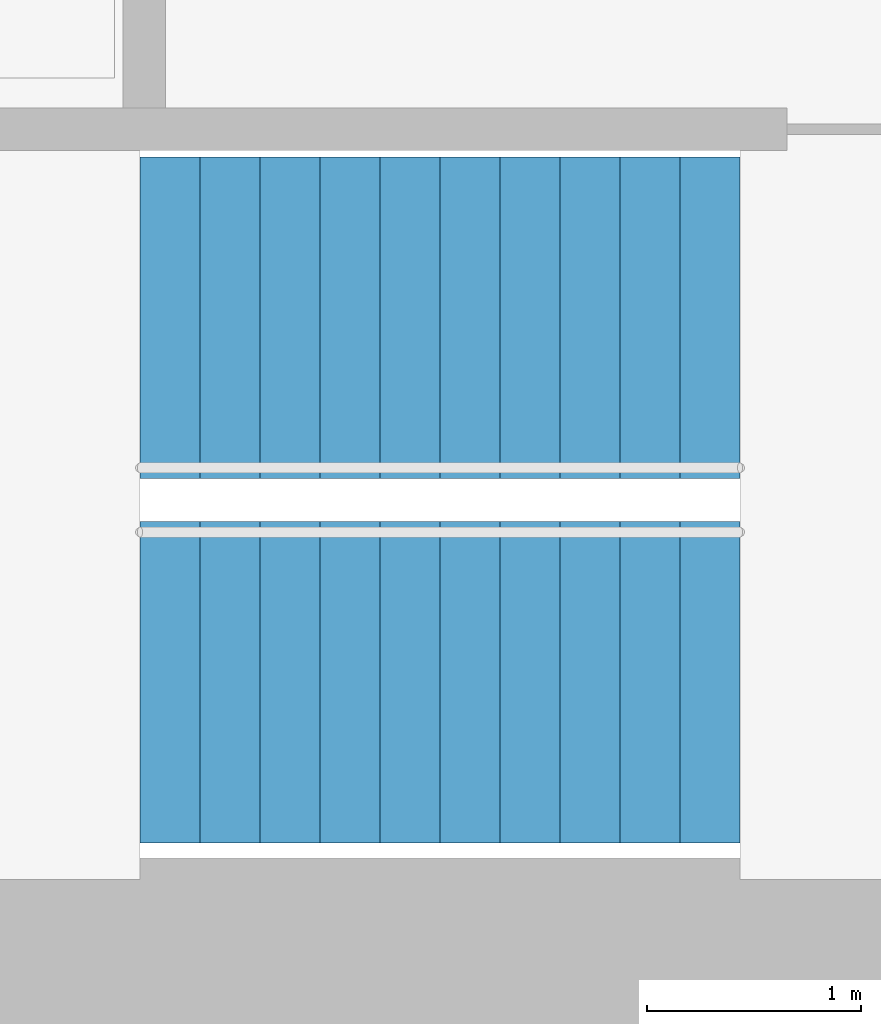
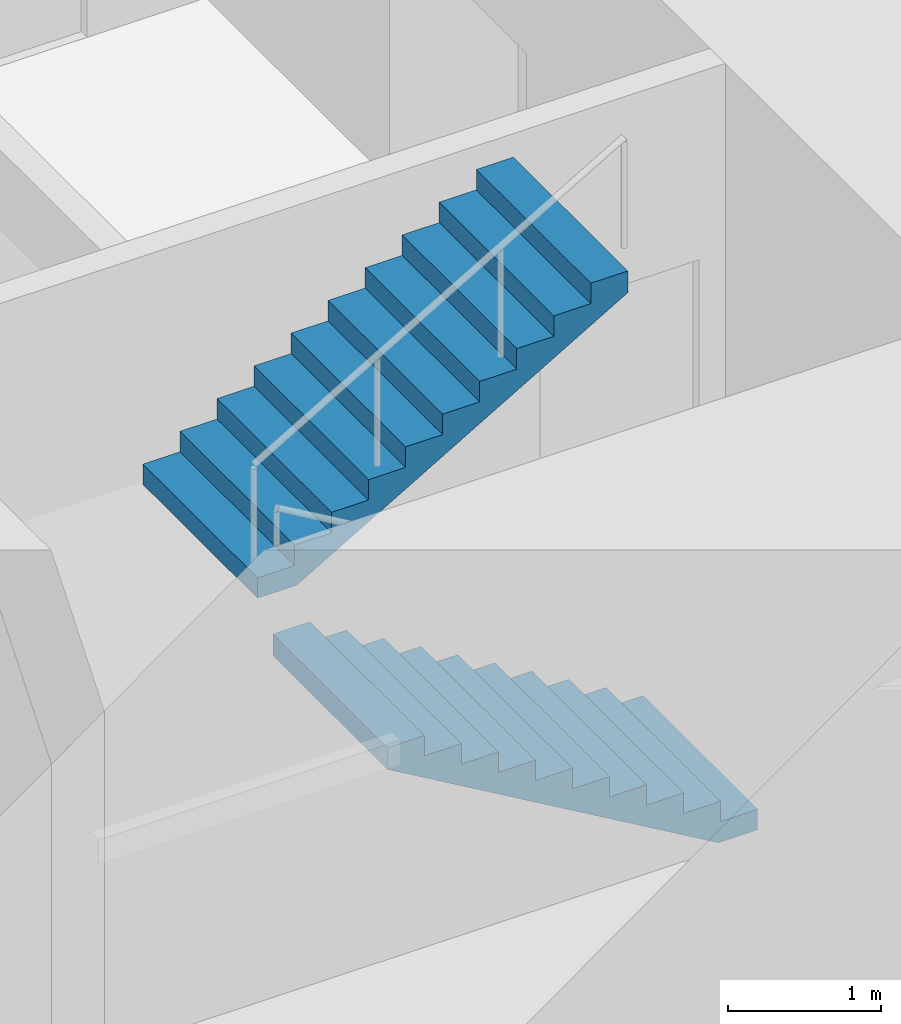
# One storey, part 14 of 15: 2 stair flights, 1 element without a shape of its own.
"""IFC4 building model written with IfcOpenShell, lengths in metres."""

import ifcopenshell
import ifcopenshell.guid

model = None  # the IFC model being written
_history = None  # IfcOwnerHistory: only IFC2X3 demands one
_inside = {}  # id of a spatial element -> (the spatial element, [elements in it])
_under = {}  # id of a project, library or spatial element -> (it, [spatial elements below it])
_declared = {}  # id of a project -> (the project, [libraries it declares])
_typed = {}  # id of a type object -> (the type object, [elements of that type])
_made_of = {}  # id of a material, layer set ... -> (it, [elements and type objects made of it])


def new_model(schema):
    """Start an empty IFC model of exactly this schema.

    Asked for "IFC4X3", IfcOpenShell would pick the latest addendum, in which some entities
    have other attributes; the version numbers below select the first issue.
    IFC2X3 requires an IfcOwnerHistory on every rooted entity: one is made here for all.
    """
    global model, _history
    if schema == "IFC4X3":
        model = ifcopenshell.file(schema_version=(4, 3, 0, 0))
    else:
        model = ifcopenshell.file(schema=schema)
    _inside.clear()
    _under.clear()
    _declared.clear()
    _typed.clear()
    _made_of.clear()
    _history = None
    if model.schema == "IFC2X3":
        org = make("IfcOrganization", Name="unknown")
        user = make(
            "IfcPersonAndOrganization",
            ThePerson=make("IfcPerson", FamilyName="unknown"),
            TheOrganization=org,
        )
        app = make(
            "IfcApplication",
            ApplicationDeveloper=org,
            Version="unknown",
            ApplicationFullName="unknown",
            ApplicationIdentifier="unknown",
        )
        _history = make(
            "IfcOwnerHistory",
            OwningUser=user,
            OwningApplication=app,
            ChangeAction="ADDED",
            CreationDate=0,
        )
    return model


def make(cls, **values):
    """One entity of the class cls with the attributes given. An attribute that is None is left unset."""
    return model.create_entity(
        cls, **{name: value for name, value in values.items() if value is not None}
    )


def rooted(cls, **values):
    """An entity with a GlobalId (a new one), such as an element, a storey or a relation."""
    return make(cls, GlobalId=ifcopenshell.guid.new(), OwnerHistory=_history, **values)


def si_unit(unit_type, name, prefix=None):
    """IfcSIUnit, for example si_unit("LENGTHUNIT", "METRE", prefix="MILLI")."""
    return make("IfcSIUnit", UnitType=unit_type, Prefix=prefix, Name=name)


def assignment(units):
    """IfcUnitAssignment: the units of a project."""
    return None if units is None else make("IfcUnitAssignment", Units=units)


def point(xyz):
    """IfcCartesianPoint."""
    return None if xyz is None else make("IfcCartesianPoint", Coordinates=xyz)


def direction(xyz):
    """IfcDirection."""
    return None if xyz is None else make("IfcDirection", DirectionRatios=xyz)


def frame(location, z_axis=None, x_axis=None):
    """IfcAxis2Placement3D, a coordinate frame: its origin and axes. An axis left out is left unset."""
    return make(
        "IfcAxis2Placement3D",
        Location=point(location),
        Axis=direction(z_axis),
        RefDirection=direction(x_axis),
    )


def origin():
    """The frame at (0, 0, 0) with its axes left unset."""
    return frame((0.0, 0.0, 0.0))


def place(relative_to, where):
    """IfcLocalPlacement: puts the frame where relative to a parent placement (None: the world)."""
    return make(
        "IfcLocalPlacement", PlacementRelTo=relative_to, RelativePlacement=where
    )


def context(
    kind, dimensions, precision=None, world=None, true_north=None, identifier=None
):
    """IfcGeometricRepresentationContext, for example the 3D "Model" context."""
    return make(
        "IfcGeometricRepresentationContext",
        ContextIdentifier=identifier,
        ContextType=kind,
        CoordinateSpaceDimension=dimensions,
        Precision=precision,
        WorldCoordinateSystem=world,
        TrueNorth=true_north,
    )


def subcontext(parent, identifier, kind, view, scale=None):
    """IfcGeometricRepresentationSubContext, for example "Body" below "Model"."""
    return make(
        "IfcGeometricRepresentationSubContext",
        ContextIdentifier=identifier,
        ContextType=kind,
        ParentContext=parent,
        TargetScale=scale,
        TargetView=view,
    )


def project(units=None, contexts=None):
    """IfcProject with its units and contexts."""
    return rooted(
        "IfcProject",
        Name="project",
        RepresentationContexts=contexts,
        UnitsInContext=assignment(units),
    )


def spatial(cls, under=None, at=None, **own):
    """A site, building, storey or space (cls), placed at a placement, below another one or the project."""
    s = rooted(cls, ObjectPlacement=at, **own)
    if under is not None:
        _under.setdefault(under.id(), (under, []))[1].append(s)
    return s


def point_list(points):
    """IfcCartesianPointList2D or 3D."""
    cls = (
        "IfcCartesianPointList2D" if len(points[0]) == 2 else "IfcCartesianPointList3D"
    )
    return make(cls, CoordList=points)


def triangles(points, corners, closed=None, point_numbers=None):
    """IfcTriangulatedFaceSet: each triangle names its three corners, points numbered from 1."""
    return make(
        "IfcTriangulatedFaceSet",
        Coordinates=point_list(points),
        Closed=closed,
        CoordIndex=corners,
        PnIndex=point_numbers,
    )


def shape(context_of_items, identifier, shape_type, items):
    """IfcShapeRepresentation: the items that make up one representation, for example the "Body"."""
    return make(
        "IfcShapeRepresentation",
        ContextOfItems=context_of_items,
        RepresentationIdentifier=identifier,
        RepresentationType=shape_type,
        Items=items,
    )


def material(Name=None, Category=None):
    """IfcMaterial."""
    return make("IfcMaterial", Name=Name, Category=Category)


def made_of(thing, what):
    """Note that an element or type object is made of a material, layer set ...; save() writes the relation."""
    if what is not None:
        _made_of.setdefault(what.id(), (what, []))[1].append(thing)
    return thing


def type_object(cls, material=None, **own):
    """A type object (cls), such as IfcWallType, which elements share."""
    return made_of(rooted(cls, **own), material)


def element(
    cls,
    number,
    at=None,
    inside=None,
    cuts=None,
    type_object=None,
    material=None,
    context=None,
    identifier="Body",
    shape_type=None,
    held_by="IfcProductDefinitionShape",
    body=None,
    shapes=None,
    **own,
):
    """One element of the class cls, such as IfcWall. Its Tag is "e" and its number.

    at: its placement. inside: the storey or other place that contains it. cuts: it is an
    opening in that element (IfcRelVoidsElement). A single representation is given by context,
    identifier, shape_type and body (its items); several are given by shapes. held_by: the class
    of the entity that holds the representations. save() writes the other relations.
    """
    e = rooted(cls, Tag="e%d" % number, ObjectPlacement=at, **own)
    if body is not None:
        shapes = [shape(context, identifier, shape_type, body)]
    if shapes is not None:
        e.Representation = make(held_by, Representations=shapes)
    if inside is not None:
        _inside.setdefault(inside.id(), (inside, []))[1].append(e)
    if cuts is not None:
        rooted(
            "IfcRelVoidsElement", RelatingBuildingElement=cuts, RelatedOpeningElement=e
        )
    if type_object is not None:
        _typed.setdefault(type_object.id(), (type_object, []))[1].append(e)
    return made_of(e, material)


def aggregate(whole, parts):
    """IfcRelAggregates: a whole, such as a stair, and the parts it consists of."""
    return rooted("IfcRelAggregates", RelatingObject=whole, RelatedObjects=parts)


def save(model, path):
    """Write the relations noted so far, then the file.

    IfcRelAggregates (storeys below a building ...), IfcRelContainedInSpatialStructure (elements
    in a storey), IfcRelDefinesByType, IfcRelAssociatesMaterial and IfcRelDeclares: one each for
    every whole, place, type object, material and project.
    """
    for whole, parts in _under.values():
        aggregate(whole, parts)
    for where, things in _inside.values():
        rooted(
            "IfcRelContainedInSpatialStructure",
            RelatedElements=things,
            RelatingStructure=where,
        )
    for kind, things in _typed.values():
        rooted("IfcRelDefinesByType", RelatedObjects=things, RelatingType=kind)
    for what, things in _made_of.values():
        rooted("IfcRelAssociatesMaterial", RelatedObjects=things, RelatingMaterial=what)
    for by, libraries in _declared.values():
        rooted("IfcRelDeclares", RelatingContext=by, RelatedDefinitions=libraries)
    model.write(path)


model = new_model("IFC4")

# Units and contexts
model_context = context("Model", 3, precision=1e-05, world=origin(), true_north=direction((0.0, 1.0)))
body_context = subcontext(model_context, "Body", "Model", "MODEL_VIEW")
ifc_project = project(units=[si_unit("LENGTHUNIT", "METRE"), si_unit("AREAUNIT", "SQUARE_METRE"), si_unit("VOLUMEUNIT", "CUBIC_METRE"), si_unit("PLANEANGLEUNIT", "RADIAN"), si_unit("MASSUNIT", "GRAM", prefix="KILO")], contexts=[model_context])

# Site, building, storey
site_placement = place(None, origin())
site = spatial("IfcSite", under=ifc_project, at=site_placement, CompositionType="ELEMENT")
building_placement = place(site_placement, origin())
building = spatial("IfcBuilding", under=site, at=building_placement, Name="Lantaw Convention Tower", CompositionType="ELEMENT")
storey_placement = place(building_placement, frame((0.0, 0.0, 98.199951171875)))
storey = spatial("IfcBuildingStorey", under=building, at=storey_placement, Name="L23", CompositionType="ELEMENT", Elevation=98.199951171875)

# Stair, stair flights
ifc_material = material(Name="Concrete C35/45", Category="concrete")
stair_type = type_object("IfcStairType", Name="Exit stair 1500 riser 163.64 in 2 flights", PredefinedType="HALF_TURN_STAIR", material=ifc_material)
stair_placement = place(storey_placement, origin())
stair = element("IfcStair", 1, at=stair_placement, inside=storey, type_object=stair_type, Name="Exit stair S2 L23", PredefinedType="HALF_TURN_STAIR")
stair_flight_type = type_object("IfcStairFlightType", Name="Stair flight 1500 riser 163.64", PredefinedType="STRAIGHT", material=ifc_material)
stair_flight_1_placement = place(storey_placement, frame((10.580078125, -5.97998046875, 0.0), z_axis=(0.0, 0.0, 1.0), x_axis=(-1.0, 0.0, 0.0)))
stair_flight_1 = element("IfcStairFlight", 2, at=stair_flight_1_placement, type_object=stair_flight_type, Name="S2 flight 1", NumberOfRisers=11, NumberOfTreads=10, PredefinedType="STRAIGHT", RiserHeight=0.163636364, TreadLength=0.28, context=body_context, shape_type="Tessellation", body=[
    triangles([(0.0, 0.75, 0.0), (0.0, 0.75, 0.163636364), (0.28, 0.75, 0.0), (0.28, 0.75, 0.163636364), (0.28, 0.75, 0.327272728), (0.2970904571225277, 0.75, 0.0), (0.2970904571225277, 0.75, 0.327272728), (0.56, 0.75, 0.1536484344906131), (0.56, 0.75, 0.327272728), (0.56, 0.75, 0.490909092), (0.8400000000000001, 0.75, 0.3172847984906131), (0.8400000000000001, 0.75, 0.490909092), (0.8400000000000001, 0.75, 0.654545456), (1.12, 0.75, 0.4809211624906131), (1.12, 0.75, 0.654545456), (1.12, 0.75, 0.8181818200000001), (1.4000000000000001, 0.75, 0.6445575264906132), (1.4000000000000001, 0.75, 0.8181818200000001), (1.4000000000000001, 0.75, 0.981818184), (1.6800000000000002, 0.75, 0.8081938904906131), (1.6800000000000002, 0.75, 0.981818184), (1.6800000000000002, 0.75, 1.145454548), (1.9600000000000002, 0.75, 0.9718302544906131), (1.9600000000000002, 0.75, 1.145454548), (1.9600000000000002, 0.75, 1.309090912), (2.24, 0.75, 1.135466618490613), (2.24, 0.75, 1.309090912), (2.24, 0.75, 1.472727276), (2.5200000000000005, 0.75, 1.2991029824906133), (2.5200000000000005, 0.75, 1.472727276), (2.5200000000000005, 0.75, 1.6363636400000001), (2.8000000000000003, 0.75, 1.462739346490613), (2.8000000000000003, 0.75, 1.6363636400000001), (0.0, -0.75, 0.0), (0.0, -0.75, 0.163636364), (0.28, -0.75, 0.0), (0.28, -0.75, 0.163636364), (0.28, -0.75, 0.327272728), (0.2970904571225277, -0.75, 0.0), (0.2970904571225277, -0.75, 0.327272728), (0.56, -0.75, 0.1536484344906131), (0.56, -0.75, 0.327272728), (0.56, -0.75, 0.490909092), (0.8400000000000001, -0.75, 0.3172847984906131), (0.8400000000000001, -0.75, 0.490909092), (0.8400000000000001, -0.75, 0.654545456), (1.12, -0.75, 0.4809211624906131), (1.12, -0.75, 0.654545456), (1.12, -0.75, 0.8181818200000001), (1.4000000000000001, -0.75, 0.6445575264906132), (1.4000000000000001, -0.75, 0.8181818200000001), (1.4000000000000001, -0.75, 0.981818184), (1.6800000000000002, -0.75, 0.8081938904906131), (1.6800000000000002, -0.75, 0.981818184), (1.6800000000000002, -0.75, 1.145454548), (1.9600000000000002, -0.75, 0.9718302544906131), (1.9600000000000002, -0.75, 1.145454548), (1.9600000000000002, -0.75, 1.309090912), (2.24, -0.75, 1.135466618490613), (2.24, -0.75, 1.309090912), (2.24, -0.75, 1.472727276), (2.5200000000000005, -0.75, 1.2991029824906133), (2.5200000000000005, -0.75, 1.472727276), (2.5200000000000005, -0.75, 1.6363636400000001), (2.8000000000000003, -0.75, 1.462739346490613), (2.8000000000000003, -0.75, 1.6363636400000001), (0.0, 0.15000000000000002, 0.163636364), (0.0, 0.15000000000000002, 0.0), (0.0, 0.0, 0.163636364), (0.0, 0.0, 0.0), (0.0, -0.15000000000000002, 0.163636364), (0.0, -0.15000000000000002, 0.0), (0.28, 0.15000000000000002, 0.327272728), (0.28, 0.15000000000000002, 0.163636364), (0.28, 0.0, 0.327272728), (0.28, 0.0, 0.163636364), (0.28, -0.15000000000000002, 0.327272728), (0.28, -0.15000000000000002, 0.163636364), (0.56, 0.15000000000000002, 0.490909092), (0.56, 0.15000000000000002, 0.327272728), (0.56, 0.0, 0.490909092), (0.56, 0.0, 0.327272728), (0.56, -0.15000000000000002, 0.490909092), (0.56, -0.15000000000000002, 0.327272728), (0.8400000000000001, 0.15000000000000002, 0.654545456), (0.8400000000000001, 0.15000000000000002, 0.490909092), (0.8400000000000001, 0.0, 0.654545456), (0.8400000000000001, 0.0, 0.490909092), (0.8400000000000001, -0.15000000000000002, 0.654545456), (0.8400000000000001, -0.15000000000000002, 0.490909092), (1.12, 0.15000000000000002, 0.8181818200000001), (1.12, 0.15000000000000002, 0.654545456), (1.12, 0.0, 0.8181818200000001), (1.12, 0.0, 0.654545456), (1.12, -0.15000000000000002, 0.8181818200000001), (1.12, -0.15000000000000002, 0.654545456), (1.4000000000000001, 0.15000000000000002, 0.981818184), (1.4000000000000001, 0.15000000000000002, 0.8181818200000001), (1.4000000000000001, 0.0, 0.981818184), (1.4000000000000001, 0.0, 0.8181818200000001), (1.4000000000000001, -0.15000000000000002, 0.981818184), (1.4000000000000001, -0.15000000000000002, 0.8181818200000001), (1.6800000000000002, 0.15000000000000002, 1.145454548), (1.6800000000000002, 0.15000000000000002, 0.981818184), (1.6800000000000002, 0.0, 1.145454548), (1.6800000000000002, 0.0, 0.981818184), (1.6800000000000002, -0.15000000000000002, 1.145454548), (1.6800000000000002, -0.15000000000000002, 0.981818184), (1.9600000000000002, 0.15000000000000002, 1.309090912), (1.9600000000000002, 0.15000000000000002, 1.145454548), (1.9600000000000002, 0.0, 1.309090912), (1.9600000000000002, 0.0, 1.145454548), (1.9600000000000002, -0.15000000000000002, 1.309090912), (1.9600000000000002, -0.15000000000000002, 1.145454548), (2.24, 0.15000000000000002, 1.472727276), (2.24, 0.15000000000000002, 1.309090912), (2.24, 0.0, 1.472727276), (2.24, 0.0, 1.309090912), (2.24, -0.15000000000000002, 1.472727276), (2.24, -0.15000000000000002, 1.309090912), (2.5200000000000005, 0.15000000000000002, 1.6363636400000001), (2.5200000000000005, 0.15000000000000002, 1.472727276), (2.5200000000000005, 0.0, 1.6363636400000001), (2.5200000000000005, 0.0, 1.472727276), (2.5200000000000005, -0.15000000000000002, 1.6363636400000001), (2.5200000000000005, -0.15000000000000002, 1.472727276), (0.2970904571225277, 0.15000000000000002, 0.327272728), (0.2970904571225277, 0.0, 0.327272728), (0.2970904571225277, -0.15000000000000002, 0.327272728), (2.8000000000000003, 0.15000000000000002, 1.6363636400000001), (2.8000000000000003, 0.0, 1.6363636400000001), (2.8000000000000003, -0.15000000000000002, 1.6363636400000001), (2.8000000000000003, 0.15000000000000002, 1.462739346490613), (2.8000000000000003, 0.0, 1.462739346490613), (2.8000000000000003, -0.15000000000000002, 1.462739346490613), (2.5200000000000005, 0.15000000000000002, 1.2991029824906133), (2.5200000000000005, 0.0, 1.2991029824906133), (2.5200000000000005, -0.15000000000000002, 1.2991029824906133), (2.24, 0.15000000000000002, 1.135466618490613), (2.24, 0.0, 1.135466618490613), (2.24, -0.15000000000000002, 1.135466618490613), (1.9600000000000002, 0.15000000000000002, 0.9718302544906131), (1.9600000000000002, 0.0, 0.9718302544906131), (1.9600000000000002, -0.15000000000000002, 0.9718302544906131), (1.6800000000000002, 0.15000000000000002, 0.8081938904906131), (1.6800000000000002, 0.0, 0.8081938904906131), (1.6800000000000002, -0.15000000000000002, 0.8081938904906131), (1.4000000000000001, 0.15000000000000002, 0.6445575264906132), (1.4000000000000001, 0.0, 0.6445575264906132), (1.4000000000000001, -0.15000000000000002, 0.6445575264906132), (1.12, 0.15000000000000002, 0.4809211624906131), (1.12, 0.0, 0.4809211624906131), (1.12, -0.15000000000000002, 0.4809211624906131), (0.8400000000000001, 0.15000000000000002, 0.3172847984906131), (0.8400000000000001, 0.0, 0.3172847984906131), (0.8400000000000001, -0.15000000000000002, 0.3172847984906131), (0.56, 0.15000000000000002, 0.1536484344906131), (0.56, 0.0, 0.1536484344906131), (0.56, -0.15000000000000002, 0.1536484344906131), (0.2970904571225277, 0.15000000000000002, 0.0), (0.2970904571225277, 0.0, 0.0), (0.2970904571225277, -0.15000000000000002, 0.0), (0.28, 0.15000000000000002, 0.0), (0.28, 0.0, 0.0), (0.28, -0.15000000000000002, 0.0)], [[1, 4, 3], [1, 2, 4], [3, 4, 6], [4, 7, 6], [4, 5, 7], [6, 9, 8], [6, 7, 9], [8, 9, 11], [9, 12, 11], [9, 10, 12], [11, 12, 14], [12, 15, 14], [12, 13, 15], [14, 15, 17], [15, 18, 17], [15, 16, 18], [17, 18, 20], [18, 21, 20], [18, 19, 21], [20, 21, 23], [21, 24, 23], [21, 22, 24], [23, 24, 26], [24, 27, 26], [24, 25, 27], [26, 27, 29], [27, 30, 29], [27, 28, 30], [29, 30, 32], [30, 33, 32], [30, 31, 33], [34, 36, 37], [34, 37, 35], [36, 39, 37], [37, 39, 40], [37, 40, 38], [39, 41, 42], [39, 42, 40], [41, 44, 42], [42, 44, 45], [42, 45, 43], [44, 47, 45], [45, 47, 48], [45, 48, 46], [47, 50, 48], [48, 50, 51], [48, 51, 49], [50, 53, 51], [51, 53, 54], [51, 54, 52], [53, 56, 54], [54, 56, 57], [54, 57, 55], [56, 59, 57], [57, 59, 60], [57, 60, 58], [59, 62, 60], [60, 62, 63], [60, 63, 61], [62, 65, 63], [63, 65, 66], [63, 66, 64], [1, 67, 2], [1, 68, 67], [68, 69, 67], [68, 70, 69], [70, 71, 69], [70, 72, 71], [72, 35, 71], [72, 34, 35], [4, 73, 5], [4, 74, 73], [74, 75, 73], [74, 76, 75], [76, 77, 75], [76, 78, 77], [78, 38, 77], [78, 37, 38], [9, 79, 10], [9, 80, 79], [80, 81, 79], [80, 82, 81], [82, 83, 81], [82, 84, 83], [84, 43, 83], [84, 42, 43], [12, 85, 13], [12, 86, 85], [86, 87, 85], [86, 88, 87], [88, 89, 87], [88, 90, 89], [90, 46, 89], [90, 45, 46], [15, 91, 16], [15, 92, 91], [92, 93, 91], [92, 94, 93], [94, 95, 93], [94, 96, 95], [96, 49, 95], [96, 48, 49], [18, 97, 19], [18, 98, 97], [98, 99, 97], [98, 100, 99], [100, 101, 99], [100, 102, 101], [102, 52, 101], [102, 51, 52], [21, 103, 22], [21, 104, 103], [104, 105, 103], [104, 106, 105], [106, 107, 105], [106, 108, 107], [108, 55, 107], [108, 54, 55], [24, 109, 25], [24, 110, 109], [110, 111, 109], [110, 112, 111], [112, 113, 111], [112, 114, 113], [114, 58, 113], [114, 57, 58], [27, 115, 28], [27, 116, 115], [116, 117, 115], [116, 118, 117], [118, 119, 117], [118, 120, 119], [120, 61, 119], [120, 60, 61], [30, 121, 31], [30, 122, 121], [122, 123, 121], [122, 124, 123], [124, 125, 123], [124, 126, 125], [126, 64, 125], [126, 63, 64], [2, 74, 4], [2, 67, 74], [67, 76, 74], [67, 69, 76], [69, 78, 76], [69, 71, 78], [71, 37, 78], [71, 35, 37], [5, 127, 7], [5, 73, 127], [73, 128, 127], [73, 75, 128], [75, 129, 128], [75, 77, 129], [77, 40, 129], [77, 38, 40], [7, 80, 9], [7, 127, 80], [127, 82, 80], [127, 128, 82], [128, 84, 82], [128, 129, 84], [129, 42, 84], [129, 40, 42], [10, 86, 12], [10, 79, 86], [79, 88, 86], [79, 81, 88], [81, 90, 88], [81, 83, 90], [83, 45, 90], [83, 43, 45], [13, 92, 15], [13, 85, 92], [85, 94, 92], [85, 87, 94], [87, 96, 94], [87, 89, 96], [89, 48, 96], [89, 46, 48], [16, 98, 18], [16, 91, 98], [91, 100, 98], [91, 93, 100], [93, 102, 100], [93, 95, 102], [95, 51, 102], [95, 49, 51], [19, 104, 21], [19, 97, 104], [97, 106, 104], [97, 99, 106], [99, 108, 106], [99, 101, 108], [101, 54, 108], [101, 52, 54], [22, 110, 24], [22, 103, 110], [103, 112, 110], [103, 105, 112], [105, 114, 112], [105, 107, 114], [107, 57, 114], [107, 55, 57], [25, 116, 27], [25, 109, 116], [109, 118, 116], [109, 111, 118], [111, 120, 118], [111, 113, 120], [113, 60, 120], [113, 58, 60], [28, 122, 30], [28, 115, 122], [115, 124, 122], [115, 117, 124], [117, 126, 124], [117, 119, 126], [119, 63, 126], [119, 61, 63], [31, 130, 33], [31, 121, 130], [121, 131, 130], [121, 123, 131], [123, 132, 131], [123, 125, 132], [125, 66, 132], [125, 64, 66], [33, 133, 32], [33, 130, 133], [130, 134, 133], [130, 131, 134], [131, 135, 134], [131, 132, 135], [132, 65, 135], [132, 66, 65], [32, 136, 29], [32, 133, 136], [133, 137, 136], [133, 134, 137], [134, 138, 137], [134, 135, 138], [135, 62, 138], [135, 65, 62], [29, 139, 26], [29, 136, 139], [136, 140, 139], [136, 137, 140], [137, 141, 140], [137, 138, 141], [138, 59, 141], [138, 62, 59], [26, 142, 23], [26, 139, 142], [139, 143, 142], [139, 140, 143], [140, 144, 143], [140, 141, 144], [141, 56, 144], [141, 59, 56], [23, 145, 20], [23, 142, 145], [142, 146, 145], [142, 143, 146], [143, 147, 146], [143, 144, 147], [144, 53, 147], [144, 56, 53], [20, 148, 17], [20, 145, 148], [145, 149, 148], [145, 146, 149], [146, 150, 149], [146, 147, 150], [147, 50, 150], [147, 53, 50], [17, 151, 14], [17, 148, 151], [148, 152, 151], [148, 149, 152], [149, 153, 152], [149, 150, 153], [150, 47, 153], [150, 50, 47], [14, 154, 11], [14, 151, 154], [151, 155, 154], [151, 152, 155], [152, 156, 155], [152, 153, 156], [153, 44, 156], [153, 47, 44], [11, 157, 8], [11, 154, 157], [154, 158, 157], [154, 155, 158], [155, 159, 158], [155, 156, 159], [156, 41, 159], [156, 44, 41], [8, 160, 6], [8, 157, 160], [157, 161, 160], [157, 158, 161], [158, 162, 161], [158, 159, 162], [159, 39, 162], [159, 41, 39], [6, 163, 3], [6, 160, 163], [160, 164, 163], [160, 161, 164], [161, 165, 164], [161, 162, 165], [162, 36, 165], [162, 39, 36], [3, 68, 1], [3, 163, 68], [163, 70, 68], [163, 164, 70], [164, 72, 70], [164, 165, 72], [165, 34, 72], [165, 36, 34]], closed=True),
])
stair_flight_2_placement = place(storey_placement, frame((7.780029296875, -4.280029296875, 1.800048828125), z_axis=(0.0, 0.0, 1.0), x_axis=(1.0, 0.0, 0.0)))
stair_flight_2 = element("IfcStairFlight", 3, at=stair_flight_2_placement, type_object=stair_flight_type, Name="S2 flight 2", NumberOfRisers=11, NumberOfTreads=10, PredefinedType="STRAIGHT", RiserHeight=0.163636364, TreadLength=0.28, context=body_context, shape_type="Tessellation", body=[
    triangles([(0.0, 0.75, 0.0), (0.0, 0.75, 0.163636364), (0.28, 0.75, 0.0), (0.28, 0.75, 0.163636364), (0.28, 0.75, 0.327272728), (0.2970904571225277, 0.75, 0.0), (0.2970904571225277, 0.75, 0.327272728), (0.56, 0.75, 0.1536484344906131), (0.56, 0.75, 0.327272728), (0.56, 0.75, 0.490909092), (0.8400000000000001, 0.75, 0.3172847984906131), (0.8400000000000001, 0.75, 0.490909092), (0.8400000000000001, 0.75, 0.654545456), (1.12, 0.75, 0.4809211624906131), (1.12, 0.75, 0.654545456), (1.12, 0.75, 0.8181818200000001), (1.4000000000000001, 0.75, 0.6445575264906132), (1.4000000000000001, 0.75, 0.8181818200000001), (1.4000000000000001, 0.75, 0.981818184), (1.6800000000000002, 0.75, 0.8081938904906131), (1.6800000000000002, 0.75, 0.981818184), (1.6800000000000002, 0.75, 1.145454548), (1.9600000000000002, 0.75, 0.9718302544906131), (1.9600000000000002, 0.75, 1.145454548), (1.9600000000000002, 0.75, 1.309090912), (2.24, 0.75, 1.135466618490613), (2.24, 0.75, 1.309090912), (2.24, 0.75, 1.472727276), (2.5200000000000005, 0.75, 1.2991029824906133), (2.5200000000000005, 0.75, 1.472727276), (2.5200000000000005, 0.75, 1.6363636400000001), (2.8000000000000003, 0.75, 1.462739346490613), (2.8000000000000003, 0.75, 1.6363636400000001), (0.0, -0.75, 0.0), (0.0, -0.75, 0.163636364), (0.28, -0.75, 0.0), (0.28, -0.75, 0.163636364), (0.28, -0.75, 0.327272728), (0.2970904571225277, -0.75, 0.0), (0.2970904571225277, -0.75, 0.327272728), (0.56, -0.75, 0.1536484344906131), (0.56, -0.75, 0.327272728), (0.56, -0.75, 0.490909092), (0.8400000000000001, -0.75, 0.3172847984906131), (0.8400000000000001, -0.75, 0.490909092), (0.8400000000000001, -0.75, 0.654545456), (1.12, -0.75, 0.4809211624906131), (1.12, -0.75, 0.654545456), (1.12, -0.75, 0.8181818200000001), (1.4000000000000001, -0.75, 0.6445575264906132), (1.4000000000000001, -0.75, 0.8181818200000001), (1.4000000000000001, -0.75, 0.981818184), (1.6800000000000002, -0.75, 0.8081938904906131), (1.6800000000000002, -0.75, 0.981818184), (1.6800000000000002, -0.75, 1.145454548), (1.9600000000000002, -0.75, 0.9718302544906131), (1.9600000000000002, -0.75, 1.145454548), (1.9600000000000002, -0.75, 1.309090912), (2.24, -0.75, 1.135466618490613), (2.24, -0.75, 1.309090912), (2.24, -0.75, 1.472727276), (2.5200000000000005, -0.75, 1.2991029824906133), (2.5200000000000005, -0.75, 1.472727276), (2.5200000000000005, -0.75, 1.6363636400000001), (2.8000000000000003, -0.75, 1.462739346490613), (2.8000000000000003, -0.75, 1.6363636400000001), (0.0, 0.15000000000000002, 0.163636364), (0.0, 0.15000000000000002, 0.0), (0.0, 0.0, 0.163636364), (0.0, 0.0, 0.0), (0.0, -0.15000000000000002, 0.163636364), (0.0, -0.15000000000000002, 0.0), (0.28, 0.15000000000000002, 0.327272728), (0.28, 0.15000000000000002, 0.163636364), (0.28, 0.0, 0.327272728), (0.28, 0.0, 0.163636364), (0.28, -0.15000000000000002, 0.327272728), (0.28, -0.15000000000000002, 0.163636364), (0.56, 0.15000000000000002, 0.490909092), (0.56, 0.15000000000000002, 0.327272728), (0.56, 0.0, 0.490909092), (0.56, 0.0, 0.327272728), (0.56, -0.15000000000000002, 0.490909092), (0.56, -0.15000000000000002, 0.327272728), (0.8400000000000001, 0.15000000000000002, 0.654545456), (0.8400000000000001, 0.15000000000000002, 0.490909092), (0.8400000000000001, 0.0, 0.654545456), (0.8400000000000001, 0.0, 0.490909092), (0.8400000000000001, -0.15000000000000002, 0.654545456), (0.8400000000000001, -0.15000000000000002, 0.490909092), (1.12, 0.15000000000000002, 0.8181818200000001), (1.12, 0.15000000000000002, 0.654545456), (1.12, 0.0, 0.8181818200000001), (1.12, 0.0, 0.654545456), (1.12, -0.15000000000000002, 0.8181818200000001), (1.12, -0.15000000000000002, 0.654545456), (1.4000000000000001, 0.15000000000000002, 0.981818184), (1.4000000000000001, 0.15000000000000002, 0.8181818200000001), (1.4000000000000001, 0.0, 0.981818184), (1.4000000000000001, 0.0, 0.8181818200000001), (1.4000000000000001, -0.15000000000000002, 0.981818184), (1.4000000000000001, -0.15000000000000002, 0.8181818200000001), (1.6800000000000002, 0.15000000000000002, 1.145454548), (1.6800000000000002, 0.15000000000000002, 0.981818184), (1.6800000000000002, 0.0, 1.145454548), (1.6800000000000002, 0.0, 0.981818184), (1.6800000000000002, -0.15000000000000002, 1.145454548), (1.6800000000000002, -0.15000000000000002, 0.981818184), (1.9600000000000002, 0.15000000000000002, 1.309090912), (1.9600000000000002, 0.15000000000000002, 1.145454548), (1.9600000000000002, 0.0, 1.309090912), (1.9600000000000002, 0.0, 1.145454548), (1.9600000000000002, -0.15000000000000002, 1.309090912), (1.9600000000000002, -0.15000000000000002, 1.145454548), (2.24, 0.15000000000000002, 1.472727276), (2.24, 0.15000000000000002, 1.309090912), (2.24, 0.0, 1.472727276), (2.24, 0.0, 1.309090912), (2.24, -0.15000000000000002, 1.472727276), (2.24, -0.15000000000000002, 1.309090912), (2.5200000000000005, 0.15000000000000002, 1.6363636400000001), (2.5200000000000005, 0.15000000000000002, 1.472727276), (2.5200000000000005, 0.0, 1.6363636400000001), (2.5200000000000005, 0.0, 1.472727276), (2.5200000000000005, -0.15000000000000002, 1.6363636400000001), (2.5200000000000005, -0.15000000000000002, 1.472727276), (0.2970904571225277, 0.15000000000000002, 0.327272728), (0.2970904571225277, 0.0, 0.327272728), (0.2970904571225277, -0.15000000000000002, 0.327272728), (2.8000000000000003, 0.15000000000000002, 1.6363636400000001), (2.8000000000000003, 0.0, 1.6363636400000001), (2.8000000000000003, -0.15000000000000002, 1.6363636400000001), (2.8000000000000003, 0.15000000000000002, 1.462739346490613), (2.8000000000000003, 0.0, 1.462739346490613), (2.8000000000000003, -0.15000000000000002, 1.462739346490613), (2.5200000000000005, 0.15000000000000002, 1.2991029824906133), (2.5200000000000005, 0.0, 1.2991029824906133), (2.5200000000000005, -0.15000000000000002, 1.2991029824906133), (2.24, 0.15000000000000002, 1.135466618490613), (2.24, 0.0, 1.135466618490613), (2.24, -0.15000000000000002, 1.135466618490613), (1.9600000000000002, 0.15000000000000002, 0.9718302544906131), (1.9600000000000002, 0.0, 0.9718302544906131), (1.9600000000000002, -0.15000000000000002, 0.9718302544906131), (1.6800000000000002, 0.15000000000000002, 0.8081938904906131), (1.6800000000000002, 0.0, 0.8081938904906131), (1.6800000000000002, -0.15000000000000002, 0.8081938904906131), (1.4000000000000001, 0.15000000000000002, 0.6445575264906132), (1.4000000000000001, 0.0, 0.6445575264906132), (1.4000000000000001, -0.15000000000000002, 0.6445575264906132), (1.12, 0.15000000000000002, 0.4809211624906131), (1.12, 0.0, 0.4809211624906131), (1.12, -0.15000000000000002, 0.4809211624906131), (0.8400000000000001, 0.15000000000000002, 0.3172847984906131), (0.8400000000000001, 0.0, 0.3172847984906131), (0.8400000000000001, -0.15000000000000002, 0.3172847984906131), (0.56, 0.15000000000000002, 0.1536484344906131), (0.56, 0.0, 0.1536484344906131), (0.56, -0.15000000000000002, 0.1536484344906131), (0.2970904571225277, 0.15000000000000002, 0.0), (0.2970904571225277, 0.0, 0.0), (0.2970904571225277, -0.15000000000000002, 0.0), (0.28, 0.15000000000000002, 0.0), (0.28, 0.0, 0.0), (0.28, -0.15000000000000002, 0.0)], [[1, 4, 3], [1, 2, 4], [3, 4, 6], [4, 7, 6], [4, 5, 7], [6, 9, 8], [6, 7, 9], [8, 9, 11], [9, 12, 11], [9, 10, 12], [11, 12, 14], [12, 15, 14], [12, 13, 15], [14, 15, 17], [15, 18, 17], [15, 16, 18], [17, 18, 20], [18, 21, 20], [18, 19, 21], [20, 21, 23], [21, 24, 23], [21, 22, 24], [23, 24, 26], [24, 27, 26], [24, 25, 27], [26, 27, 29], [27, 30, 29], [27, 28, 30], [29, 30, 32], [30, 33, 32], [30, 31, 33], [34, 36, 37], [34, 37, 35], [36, 39, 37], [37, 39, 40], [37, 40, 38], [39, 41, 42], [39, 42, 40], [41, 44, 42], [42, 44, 45], [42, 45, 43], [44, 47, 45], [45, 47, 48], [45, 48, 46], [47, 50, 48], [48, 50, 51], [48, 51, 49], [50, 53, 51], [51, 53, 54], [51, 54, 52], [53, 56, 54], [54, 56, 57], [54, 57, 55], [56, 59, 57], [57, 59, 60], [57, 60, 58], [59, 62, 60], [60, 62, 63], [60, 63, 61], [62, 65, 63], [63, 65, 66], [63, 66, 64], [1, 67, 2], [1, 68, 67], [68, 69, 67], [68, 70, 69], [70, 71, 69], [70, 72, 71], [72, 35, 71], [72, 34, 35], [4, 73, 5], [4, 74, 73], [74, 75, 73], [74, 76, 75], [76, 77, 75], [76, 78, 77], [78, 38, 77], [78, 37, 38], [9, 79, 10], [9, 80, 79], [80, 81, 79], [80, 82, 81], [82, 83, 81], [82, 84, 83], [84, 43, 83], [84, 42, 43], [12, 85, 13], [12, 86, 85], [86, 87, 85], [86, 88, 87], [88, 89, 87], [88, 90, 89], [90, 46, 89], [90, 45, 46], [15, 91, 16], [15, 92, 91], [92, 93, 91], [92, 94, 93], [94, 95, 93], [94, 96, 95], [96, 49, 95], [96, 48, 49], [18, 97, 19], [18, 98, 97], [98, 99, 97], [98, 100, 99], [100, 101, 99], [100, 102, 101], [102, 52, 101], [102, 51, 52], [21, 103, 22], [21, 104, 103], [104, 105, 103], [104, 106, 105], [106, 107, 105], [106, 108, 107], [108, 55, 107], [108, 54, 55], [24, 109, 25], [24, 110, 109], [110, 111, 109], [110, 112, 111], [112, 113, 111], [112, 114, 113], [114, 58, 113], [114, 57, 58], [27, 115, 28], [27, 116, 115], [116, 117, 115], [116, 118, 117], [118, 119, 117], [118, 120, 119], [120, 61, 119], [120, 60, 61], [30, 121, 31], [30, 122, 121], [122, 123, 121], [122, 124, 123], [124, 125, 123], [124, 126, 125], [126, 64, 125], [126, 63, 64], [2, 74, 4], [2, 67, 74], [67, 76, 74], [67, 69, 76], [69, 78, 76], [69, 71, 78], [71, 37, 78], [71, 35, 37], [5, 127, 7], [5, 73, 127], [73, 128, 127], [73, 75, 128], [75, 129, 128], [75, 77, 129], [77, 40, 129], [77, 38, 40], [7, 80, 9], [7, 127, 80], [127, 82, 80], [127, 128, 82], [128, 84, 82], [128, 129, 84], [129, 42, 84], [129, 40, 42], [10, 86, 12], [10, 79, 86], [79, 88, 86], [79, 81, 88], [81, 90, 88], [81, 83, 90], [83, 45, 90], [83, 43, 45], [13, 92, 15], [13, 85, 92], [85, 94, 92], [85, 87, 94], [87, 96, 94], [87, 89, 96], [89, 48, 96], [89, 46, 48], [16, 98, 18], [16, 91, 98], [91, 100, 98], [91, 93, 100], [93, 102, 100], [93, 95, 102], [95, 51, 102], [95, 49, 51], [19, 104, 21], [19, 97, 104], [97, 106, 104], [97, 99, 106], [99, 108, 106], [99, 101, 108], [101, 54, 108], [101, 52, 54], [22, 110, 24], [22, 103, 110], [103, 112, 110], [103, 105, 112], [105, 114, 112], [105, 107, 114], [107, 57, 114], [107, 55, 57], [25, 116, 27], [25, 109, 116], [109, 118, 116], [109, 111, 118], [111, 120, 118], [111, 113, 120], [113, 60, 120], [113, 58, 60], [28, 122, 30], [28, 115, 122], [115, 124, 122], [115, 117, 124], [117, 126, 124], [117, 119, 126], [119, 63, 126], [119, 61, 63], [31, 130, 33], [31, 121, 130], [121, 131, 130], [121, 123, 131], [123, 132, 131], [123, 125, 132], [125, 66, 132], [125, 64, 66], [33, 133, 32], [33, 130, 133], [130, 134, 133], [130, 131, 134], [131, 135, 134], [131, 132, 135], [132, 65, 135], [132, 66, 65], [32, 136, 29], [32, 133, 136], [133, 137, 136], [133, 134, 137], [134, 138, 137], [134, 135, 138], [135, 62, 138], [135, 65, 62], [29, 139, 26], [29, 136, 139], [136, 140, 139], [136, 137, 140], [137, 141, 140], [137, 138, 141], [138, 59, 141], [138, 62, 59], [26, 142, 23], [26, 139, 142], [139, 143, 142], [139, 140, 143], [140, 144, 143], [140, 141, 144], [141, 56, 144], [141, 59, 56], [23, 145, 20], [23, 142, 145], [142, 146, 145], [142, 143, 146], [143, 147, 146], [143, 144, 147], [144, 53, 147], [144, 56, 53], [20, 148, 17], [20, 145, 148], [145, 149, 148], [145, 146, 149], [146, 150, 149], [146, 147, 150], [147, 50, 150], [147, 53, 50], [17, 151, 14], [17, 148, 151], [148, 152, 151], [148, 149, 152], [149, 153, 152], [149, 150, 153], [150, 47, 153], [150, 50, 47], [14, 154, 11], [14, 151, 154], [151, 155, 154], [151, 152, 155], [152, 156, 155], [152, 153, 156], [153, 44, 156], [153, 47, 44], [11, 157, 8], [11, 154, 157], [154, 158, 157], [154, 155, 158], [155, 159, 158], [155, 156, 159], [156, 41, 159], [156, 44, 41], [8, 160, 6], [8, 157, 160], [157, 161, 160], [157, 158, 161], [158, 162, 161], [158, 159, 162], [159, 39, 162], [159, 41, 39], [6, 163, 3], [6, 160, 163], [160, 164, 163], [160, 161, 164], [161, 165, 164], [161, 162, 165], [162, 36, 165], [162, 39, 36], [3, 68, 1], [3, 163, 68], [163, 70, 68], [163, 164, 70], [164, 72, 70], [164, 165, 72], [165, 34, 72], [165, 36, 34]], closed=True),
])
aggregate(stair, [stair_flight_1, stair_flight_2])

save(model, "model.ifc")
